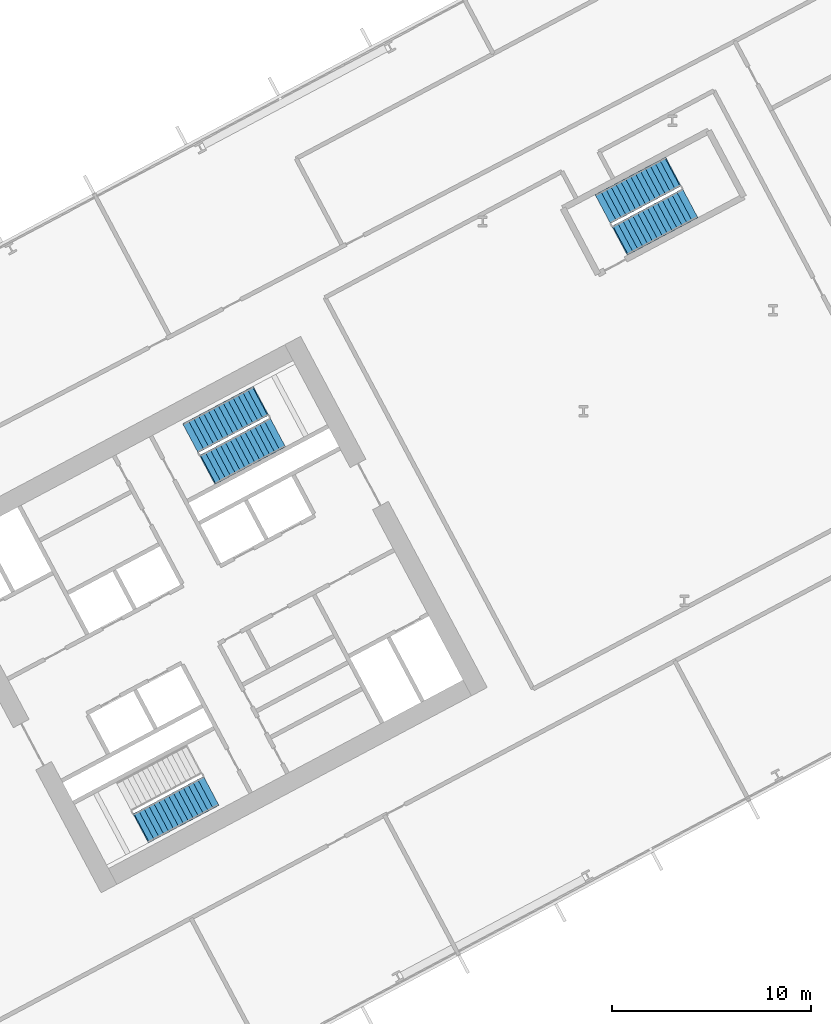
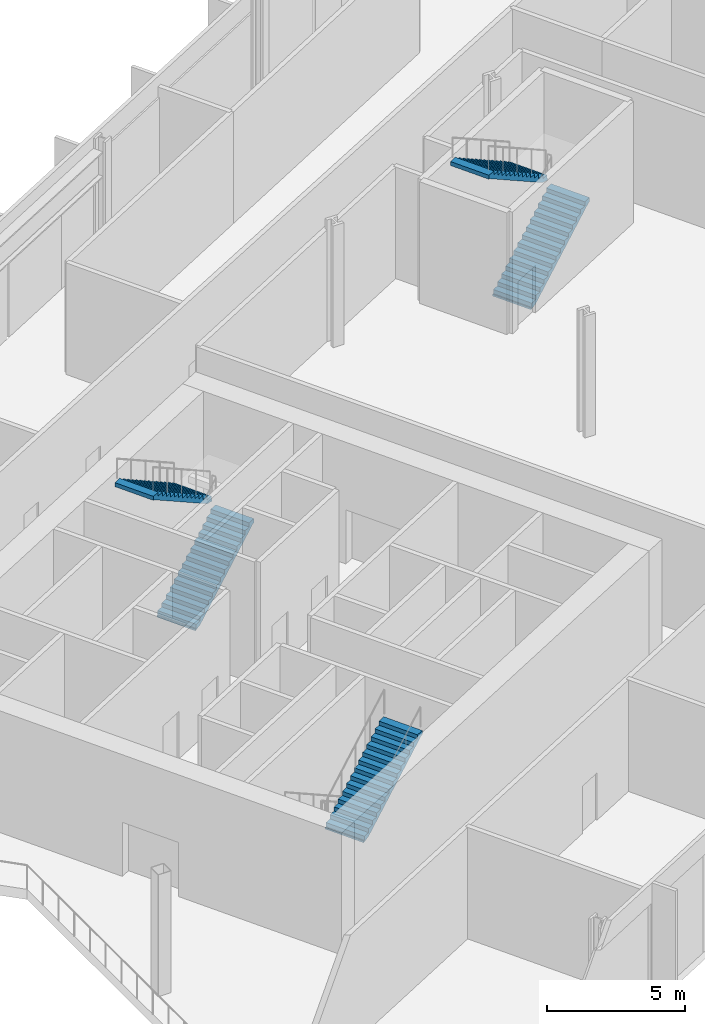
# One storey, part 19 of 31: 5 stair flights, 3 elements without a shape of their own.
"""IFC4 building model written with IfcOpenShell, lengths in metres."""

from ifc_helpers import new_model, si_unit, direction, frame, origin, place, context, subcontext, project, spatial, polyline, outline, extrude, material, type_object, element, aggregate, save


model = new_model("IFC4")

# Units and contexts
model_context = context("Model", 3, precision=1e-05, world=origin(), true_north=direction((0.0, 1.0)))
body_context = subcontext(model_context, "Body", "Model", "MODEL_VIEW")
ifc_project = project(units=[si_unit("LENGTHUNIT", "METRE"), si_unit("AREAUNIT", "SQUARE_METRE"), si_unit("VOLUMEUNIT", "CUBIC_METRE"), si_unit("PLANEANGLEUNIT", "RADIAN"), si_unit("MASSUNIT", "GRAM", prefix="KILO")], contexts=[model_context])

# Site, building, storey
site_placement = place(None, origin())
site = spatial("IfcSite", under=ifc_project, at=site_placement, CompositionType="ELEMENT")
building_placement = place(site_placement, origin())
building = spatial("IfcBuilding", under=site, at=building_placement, Name="Cormorant Relay Tower", CompositionType="ELEMENT")
storey_placement = place(building_placement, frame((0.0, 0.0, 12.199951171875)))
storey = spatial("IfcBuildingStorey", under=building, at=storey_placement, Name="L02", CompositionType="ELEMENT", Elevation=12.199951171875)

# Stair, stair flight
ifc_material_1 = material(Name="Concrete 40 MPa", Category="concrete")
stair_type = type_object("IfcStairType", Name="Exit stair 1500", PredefinedType="HALF_TURN_STAIR", material=ifc_material_1)
stair_1_placement = place(storey_placement, origin())
stair_1 = element("IfcStair", 1, at=stair_1_placement, inside=storey, type_object=stair_type, Name="L02 Stair", PredefinedType="HALF_TURN_STAIR")
ifc_material_2 = material(Name="Concrete 40 MPa", Category="concrete")
stair_flight_type = type_object("IfcStairFlightType", Name="Exit stair flight 1650", PredefinedType="STRAIGHT", material=ifc_material_2)
stair_flight_1_placement = place(storey_placement, frame((20.8583984375, 1.945068359375, 2.699951171875), z_axis=(0.0, 0.0, 1.0), x_axis=(0.882947592859, 0.469471562786, 0.0)))
stair_flight_1 = element("IfcStairFlight", 2, at=stair_flight_1_placement, type_object=stair_flight_type, Name="B1 flight 2", NumberOfRisers=15, NumberOfTreads=14, PredefinedType="STRAIGHT", RiserHeight=0.18, TreadLength=0.28, context=body_context, shape_type="SweptSolid", body=[
    extrude(outline(polyline([(-0.050048828125, -0.080078125), (-0.050048828125, 0.0), (0.0, 0.0), (0.0, 0.179931640625), (0.280029296875, 0.179931640625), (0.280029296875, 0.360107421875), (0.56005859375, 0.360107421875), (0.56005859375, 0.5400390625), (0.840087890625, 0.5400390625), (0.840087890625, 0.719970703125), (1.1201171875, 0.719970703125), (1.1201171875, 0.89990234375), (1.39990234375, 0.89990234375), (1.39990234375, 1.080078125), (1.679931640625, 1.080078125), (1.679931640625, 1.260009765625), (1.9599609375, 1.260009765625), (1.9599609375, 1.43994140625), (2.239990234375, 1.43994140625), (2.239990234375, 1.6201171875), (2.52001953125, 1.6201171875), (2.52001953125, 1.800048828125), (2.800048828125, 1.800048828125), (2.800048828125, 1.97998046875), (3.080078125, 1.97998046875), (3.080078125, 2.159912109375), (3.360107421875, 2.159912109375), (3.360107421875, 2.340087890625), (3.639892578125, 2.340087890625), (3.639892578125, 2.52001953125), (3.919921875, 2.52001953125), (3.969970703125, 2.52001953125), (3.969970703125, 2.341796875), (3.919921875, 2.341796875), (0.277099609375, 0.0), (-0.050048828125, -0.080078125)])), frame((0.0, 0.824951171875, 0.0), z_axis=(0.0, -1.0, 0.0), x_axis=(1.0, 0.0, 0.0)), (0.0, 0.0, 1.0), 1.64990234375),
])
aggregate(stair_1, [stair_flight_1])

# Stair, stair flights
stair_2_placement = place(storey_placement, origin())
stair_2 = element("IfcStair", 3, at=stair_2_placement, inside=storey, type_object=stair_type, Name="L02 Stair", PredefinedType="HALF_TURN_STAIR")
stair_flight_2_placement = place(storey_placement, frame((24.20458984375, 19.976806640625, 0.0), z_axis=(0.0, 0.0, 1.0), x_axis=(0.882947592859, 0.469471562786, 0.0)))
stair_flight_2 = element("IfcStairFlight", 4, at=stair_flight_2_placement, type_object=stair_flight_type, Name="B2 flight 1", NumberOfRisers=15, NumberOfTreads=14, PredefinedType="STRAIGHT", RiserHeight=0.18, TreadLength=0.28, context=body_context, shape_type="SweptSolid", body=[
    extrude(outline(polyline([(-0.050048828125, -0.080078125), (-0.050048828125, 0.0), (0.0, 0.0), (0.0, 0.179931640625), (0.280029296875, 0.179931640625), (0.280029296875, 0.360107421875), (0.56005859375, 0.360107421875), (0.56005859375, 0.5400390625), (0.840087890625, 0.5400390625), (0.840087890625, 0.719970703125), (1.1201171875, 0.719970703125), (1.1201171875, 0.89990234375), (1.39990234375, 0.89990234375), (1.39990234375, 1.080078125), (1.679931640625, 1.080078125), (1.679931640625, 1.260009765625), (1.9599609375, 1.260009765625), (1.9599609375, 1.43994140625), (2.239990234375, 1.43994140625), (2.239990234375, 1.6201171875), (2.52001953125, 1.6201171875), (2.52001953125, 1.800048828125), (2.800048828125, 1.800048828125), (2.800048828125, 1.97998046875), (3.080078125, 1.97998046875), (3.080078125, 2.159912109375), (3.360107421875, 2.159912109375), (3.360107421875, 2.340087890625), (3.639892578125, 2.340087890625), (3.639892578125, 2.52001953125), (3.919921875, 2.52001953125), (3.969970703125, 2.52001953125), (3.969970703125, 2.341796875), (3.919921875, 2.341796875), (0.277099609375, 0.0), (-0.050048828125, -0.080078125)])), frame((0.0, 0.824951171875, 0.0), z_axis=(0.0, -1.0, 0.0), x_axis=(1.0, 0.0, 0.0)), (0.0, 0.0, 1.0), 1.64990234375),
])
stair_flight_3_placement = place(storey_placement, frame((26.82080078125, 23.406494140625, 2.699951171875), z_axis=(0.0, 0.0, 1.0), x_axis=(-0.882947592859, -0.469471562786, 0.0)))
stair_flight_3 = element("IfcStairFlight", 5, at=stair_flight_3_placement, type_object=stair_flight_type, Name="B2 flight 2", NumberOfRisers=15, NumberOfTreads=14, PredefinedType="STRAIGHT", RiserHeight=0.18, TreadLength=0.28, context=body_context, shape_type="SweptSolid", body=[
    extrude(outline(polyline([(-0.050048828125, -0.080078125), (-0.050048828125, 0.0), (0.0, 0.0), (0.0, 0.179931640625), (0.280029296875, 0.179931640625), (0.280029296875, 0.360107421875), (0.56005859375, 0.360107421875), (0.56005859375, 0.5400390625), (0.840087890625, 0.5400390625), (0.840087890625, 0.719970703125), (1.1201171875, 0.719970703125), (1.1201171875, 0.89990234375), (1.39990234375, 0.89990234375), (1.39990234375, 1.080078125), (1.679931640625, 1.080078125), (1.679931640625, 1.260009765625), (1.9599609375, 1.260009765625), (1.9599609375, 1.43994140625), (2.239990234375, 1.43994140625), (2.239990234375, 1.6201171875), (2.52001953125, 1.6201171875), (2.52001953125, 1.800048828125), (2.800048828125, 1.800048828125), (2.800048828125, 1.97998046875), (3.080078125, 1.97998046875), (3.080078125, 2.159912109375), (3.360107421875, 2.159912109375), (3.360107421875, 2.340087890625), (3.639892578125, 2.340087890625), (3.639892578125, 2.52001953125), (3.919921875, 2.52001953125), (3.969970703125, 2.52001953125), (3.969970703125, 2.341796875), (3.919921875, 2.341796875), (0.277099609375, 0.0), (-0.050048828125, -0.080078125)])), frame((0.0, 0.824951171875, 0.0), z_axis=(0.0, -1.0, 0.0), x_axis=(1.0, 0.0, 0.0)), (0.0, 0.0, 1.0), 1.64990234375),
])
aggregate(stair_2, [stair_flight_2, stair_flight_3])

stair_3_placement = place(storey_placement, origin())
stair_3 = element("IfcStair", 6, at=stair_3_placement, inside=storey, type_object=stair_type, Name="L02 Stair", PredefinedType="HALF_TURN_STAIR")
stair_flight_4_placement = place(storey_placement, frame((44.947509765625, 31.502197265625, 0.0), z_axis=(0.0, 0.0, 1.0), x_axis=(0.882947502727, 0.4694717323, 0.0)))
stair_flight_4 = element("IfcStairFlight", 7, at=stair_flight_4_placement, type_object=stair_flight_type, Name="RB1 flight 1", NumberOfRisers=15, NumberOfTreads=14, PredefinedType="STRAIGHT", RiserHeight=0.18, TreadLength=0.28, context=body_context, shape_type="SweptSolid", body=[
    extrude(outline(polyline([(-0.050048828125, -0.080078125), (-0.050048828125, 0.0), (0.0, 0.0), (0.0, 0.179931640625), (0.280029296875, 0.179931640625), (0.280029296875, 0.360107421875), (0.56005859375, 0.360107421875), (0.56005859375, 0.5400390625), (0.840087890625, 0.5400390625), (0.840087890625, 0.719970703125), (1.1201171875, 0.719970703125), (1.1201171875, 0.89990234375), (1.39990234375, 0.89990234375), (1.39990234375, 1.080078125), (1.679931640625, 1.080078125), (1.679931640625, 1.260009765625), (1.9599609375, 1.260009765625), (1.9599609375, 1.43994140625), (2.239990234375, 1.43994140625), (2.239990234375, 1.6201171875), (2.52001953125, 1.6201171875), (2.52001953125, 1.800048828125), (2.800048828125, 1.800048828125), (2.800048828125, 1.97998046875), (3.080078125, 1.97998046875), (3.080078125, 2.159912109375), (3.360107421875, 2.159912109375), (3.360107421875, 2.340087890625), (3.639892578125, 2.340087890625), (3.639892578125, 2.52001953125), (3.919921875, 2.52001953125), (3.969970703125, 2.52001953125), (3.969970703125, 2.341796875), (3.919921875, 2.341796875), (0.277099609375, 0.0), (-0.050048828125, -0.080078125)])), frame((0.0, 0.824951171875, 0.0), z_axis=(0.0, -1.0, 0.0), x_axis=(1.0, 0.0, 0.0)), (0.0, 0.0, 1.0), 1.64990234375),
])
stair_flight_5_placement = place(storey_placement, frame((47.563720703125, 34.931640625, 2.699951171875), z_axis=(0.0, 0.0, 1.0), x_axis=(-0.882947502727, -0.4694717323, 0.0)))
stair_flight_5 = element("IfcStairFlight", 8, at=stair_flight_5_placement, type_object=stair_flight_type, Name="RB1 flight 2", NumberOfRisers=15, NumberOfTreads=14, PredefinedType="STRAIGHT", RiserHeight=0.18, TreadLength=0.28, context=body_context, shape_type="SweptSolid", body=[
    extrude(outline(polyline([(-0.050048828125, -0.080078125), (-0.050048828125, 0.0), (0.0, 0.0), (0.0, 0.179931640625), (0.280029296875, 0.179931640625), (0.280029296875, 0.360107421875), (0.56005859375, 0.360107421875), (0.56005859375, 0.5400390625), (0.840087890625, 0.5400390625), (0.840087890625, 0.719970703125), (1.1201171875, 0.719970703125), (1.1201171875, 0.89990234375), (1.39990234375, 0.89990234375), (1.39990234375, 1.080078125), (1.679931640625, 1.080078125), (1.679931640625, 1.260009765625), (1.9599609375, 1.260009765625), (1.9599609375, 1.43994140625), (2.239990234375, 1.43994140625), (2.239990234375, 1.6201171875), (2.52001953125, 1.6201171875), (2.52001953125, 1.800048828125), (2.800048828125, 1.800048828125), (2.800048828125, 1.97998046875), (3.080078125, 1.97998046875), (3.080078125, 2.159912109375), (3.360107421875, 2.159912109375), (3.360107421875, 2.340087890625), (3.639892578125, 2.340087890625), (3.639892578125, 2.52001953125), (3.919921875, 2.52001953125), (3.969970703125, 2.52001953125), (3.969970703125, 2.341796875), (3.919921875, 2.341796875), (0.277099609375, 0.0), (-0.050048828125, -0.080078125)])), frame((0.0, 0.824951171875, 0.0), z_axis=(0.0, -1.0, 0.0), x_axis=(1.0, 0.0, 0.0)), (0.0, 0.0, 1.0), 1.64990234375),
])
aggregate(stair_3, [stair_flight_4, stair_flight_5])

save(model, "model.ifc")
